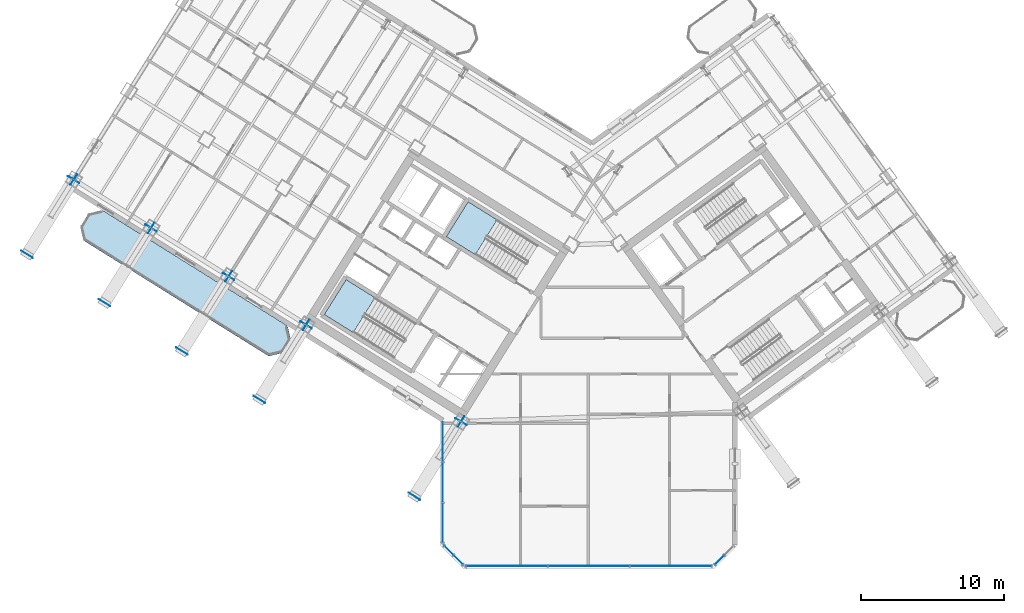
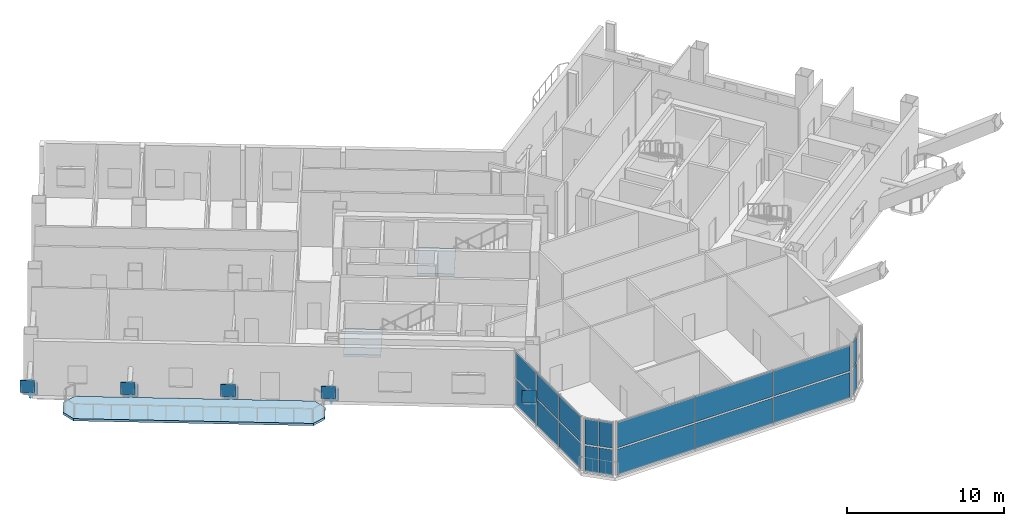
# One storey, part 12 of 32: 33 plates, 3 slabs, 6 elements without a shape of their own.
"""IFC4 building model written with IfcOpenShell, lengths in metres."""

from ifc_helpers import new_model, si_unit, direction, frame, origin, origin_2d, place, context, subcontext, project, spatial, polyline, rectangle, outline, extrude, source, transform, mapped, material, layer, layer_set, type_object, element, aggregate, save


model = new_model("IFC4")

# Units and contexts
model_context = context("Model", 3, precision=1e-05, world=origin(), true_north=direction((0.0, 1.0)))
body_context = subcontext(model_context, "Body", "Model", "MODEL_VIEW")
ifc_project = project(units=[si_unit("LENGTHUNIT", "METRE"), si_unit("AREAUNIT", "SQUARE_METRE"), si_unit("VOLUMEUNIT", "CUBIC_METRE"), si_unit("PLANEANGLEUNIT", "RADIAN"), si_unit("MASSUNIT", "GRAM", prefix="KILO")], contexts=[model_context])

# Site, building, storey
site_placement = place(None, origin())
site = spatial("IfcSite", under=ifc_project, at=site_placement, CompositionType="ELEMENT")
building_placement = place(site_placement, origin())
building = spatial("IfcBuilding", under=site, at=building_placement, Name="Tlacorven Tower", CompositionType="ELEMENT")
storey_placement = place(building_placement, frame((0.0, 0.0, 123.300048828125)))
storey = spatial("IfcBuildingStorey", under=building, at=storey_placement, Name="L31", CompositionType="ELEMENT", Elevation=123.300048828125)

# Slab
ifc_material_1 = material(Name="Precast concrete C45/55", Category="concrete")
ifc_layer_1 = layer(ifc_material_1, 0.179931640625)
ifc_layer_set_1 = layer_set([ifc_layer_1], Name="Precast concrete C45/55")
slab_type_1 = type_object("IfcSlabType", Name="SL-BAL-180", PredefinedType="USERDEFINED", material=ifc_layer_set_1)
slab_1_placement = place(storey_placement, frame((0.0, 0.0, -0.179931640625)))
element("IfcSlab", 1, at=slab_1_placement, inside=storey, type_object=slab_type_1, Name="L31 West Wing Balcony Ribbon OUT", ObjectType="BALCONY SLAB", PredefinedType="USERDEFINED", context=body_context, shape_type="SweptSolid", body=[
    extrude(outline(polyline([(20.88671875, 18.78271484375), (7.91162109375, 26.890625), (6.947021484375, 26.66796875), (6.366943359375, 25.7392578125), (6.589599609375, 24.774658203125), (19.564697265625, 16.6669921875), (20.529296875, 16.8896484375), (21.109375, 17.818115234375), (20.88671875, 18.78271484375)])), origin(), (0.0, 0.0, 1.0), 0.179931640625),
])

# Stair, slab
ifc_material_2 = material(Name="Concrete C40/50", Category="concrete")
stair_type = type_object("IfcStairType", Name="ST-CORE-DLG", PredefinedType="HALF_TURN_STAIR", material=ifc_material_2)
stair_1_placement = place(storey_placement, origin())
stair_1 = element("IfcStair", 2, at=stair_1_placement, inside=storey, type_object=stair_type, Name="L31 Protected Exit Stair West 1", PredefinedType="HALF_TURN_STAIR")
ifc_layer_2 = layer(ifc_material_2, 0.199951171875)
ifc_layer_set_2 = layer_set([ifc_layer_2], Name="Concrete C40/50")
slab_type_2 = type_object("IfcSlabType", Name="SL-LND-200", PredefinedType="LANDING", material=ifc_layer_set_2)
slab_2_placement = place(storey_placement, frame((0.0, 0.0, 2.050048828125)))
slab_2 = element("IfcSlab", 3, at=slab_2_placement, type_object=slab_type_2, Name="ST-W1 landing 1", PredefinedType="LANDING", context=body_context, shape_type="SweptSolid", body=[
    extrude(outline(polyline([(27.01611328125, 20.76025390625), (24.9892578125, 22.02685546875), (23.463134765625, 19.58447265625), (25.489990234375, 18.31787109375), (27.01611328125, 20.76025390625)])), origin(), (0.0, 0.0, 1.0), 0.199951171875),
])
aggregate(stair_1, [slab_2])

stair_2_placement = place(storey_placement, origin())
stair_2 = element("IfcStair", 4, at=stair_2_placement, inside=storey, type_object=stair_type, Name="L31 Protected Exit Stair West 2", PredefinedType="HALF_TURN_STAIR")
slab_3_placement = place(storey_placement, frame((0.0, 0.0, 2.050048828125)))
slab_3 = element("IfcSlab", 5, at=slab_3_placement, type_object=slab_type_2, Name="ST-W2 landing 1", PredefinedType="LANDING", context=body_context, shape_type="SweptSolid", body=[
    extrude(outline(polyline([(35.567626953125, 26.218017578125), (33.540771484375, 27.484375), (32.0146484375, 25.0419921875), (34.04150390625, 23.775634765625), (35.567626953125, 26.218017578125)])), origin(), (0.0, 0.0, 1.0), 0.199951171875),
])
aggregate(stair_2, [slab_3])

# Plates
ifc_material_3 = material(Name="Steel S460M", Category="steel")
ifc_layer_3 = layer(ifc_material_3, 0.02392578125)
ifc_layer_set_3 = layer_set([ifc_layer_3], Name="Steel S460M")
plate_type_1 = type_object("IfcPlateType", Name="PL-CAP-END1", PredefinedType="USERDEFINED", material=ifc_layer_set_3)
shared_shape_1 = source(origin(), body_context, "Body", "SweptSolid", [
    extrude(rectangle(XDim=0.02392578125, YDim=0.929931640625, at=origin_2d()), origin(), (0.0, 0.0, 1.0), 0.929931640625),
])
for number, where, z_axis, x_axis, name in (
    (6, (33.03759765625, 12.0732421875, -0.453125), (0.0, 0.0, 1.0), (-0.529919406799, -0.848048007072, 0.0), "L31 hollow end cap plate RAK-L31-W1 1"),
    (7, (29.769287109375, 6.8427734375, 4.0234375), (0.0, 0.0, 1.0), (-0.529919406799, -0.848048007072, 0.0), "L31 hollow end cap plate RAK-L31-W1 2"),
    (8, (22.1826171875, 18.856201171875, -0.453125), (0.0, 0.0, 1.0), (-0.529919363061, -0.848048034402, 0.0), "L31 hollow end cap plate RAK-L31-W3 1"),
    (9, (18.914306640625, 13.625732421875, 4.0234375), (0.0, 0.0, 1.0), (-0.529919363061, -0.848048034402, 0.0), "L31 hollow end cap plate RAK-L31-W3 2"),
    (10, (16.755126953125, 22.24755859375, -0.453125), (0.0, 0.0, 1.0), (-0.529919363061, -0.848048034402, 0.0), "L31 hollow end cap plate RAK-L31-W4 1"),
    (11, (13.486572265625, 17.01708984375, 4.0234375), (0.0, 0.0, 1.0), (-0.529919363061, -0.848048034402, 0.0), "L31 hollow end cap plate RAK-L31-W4 2"),
    (12, (11.32763671875, 25.63916015625, -0.453125), (0.0, 0.0, 1.0), (-0.529919363061, -0.848048034402, 0.0), "L31 hollow end cap plate RAK-L31-W5 1"),
    (13, (8.05908203125, 20.40869140625, 4.0234375), (0.0, 0.0, 1.0), (-0.529919363061, -0.848048034402, 0.0), "L31 hollow end cap plate RAK-L31-W5 2"),
    (14, (5.89990234375, 29.030517578125, -0.453125), (0.0, 0.0, 1.0), (-0.529919479665, -0.84804796154, 0.0), "L31 hollow end cap plate RAK-L31-W6 1"),
    (15, (2.631591796875, 23.800048828125, 4.0234375), (0.0, 0.0, 1.0), (-0.529919479665, -0.84804796154, 0.0), "L31 hollow end cap plate RAK-L31-W6 2"),
):
    element("IfcPlate", number, at=place(storey_placement, frame(where, z_axis=z_axis, x_axis=x_axis)), inside=storey, type_object=plate_type_1, Name=name, ObjectType="END PLATE", PredefinedType="USERDEFINED", context=body_context, shape_type="MappedRepresentation", body=[
        mapped(shared_shape_1, transform((0.0, 0.0, 0.0), scale=1.0)),
    ])
ifc_layer_4 = layer(ifc_material_3, 0.031982421875)
ifc_layer_set_4 = layer_set([ifc_layer_4], Name="Steel S460M")
plate_type_2 = type_object("IfcPlateType", Name="PL-NODE-KN1", PredefinedType="SHEET", material=ifc_layer_set_4)
shared_shape_2 = source(origin(), body_context, "Body", "SweptSolid", [
    extrude(rectangle(XDim=0.85009765625, YDim=0.031982421875, at=origin_2d()), origin(), (0.0, 0.0, 1.0), 0.85009765625),
])
for number, where, z_axis, x_axis, name in (
    (16, (33.041748046875, 12.080078125, -0.419189453125), (0.0, 0.0, 1.0), (-0.529919406799, -0.848048007072, 0.0), "L31 structural node gusset plate RAK-L31-W1"),
    (17, (22.186767578125, 18.863037109375, -0.419189453125), (0.0, 0.0, 1.0), (-0.529919363061, -0.848048034402, 0.0), "L31 structural node gusset plate RAK-L31-W3"),
    (18, (16.75927734375, 22.25439453125, -0.419189453125), (0.0, 0.0, 1.0), (-0.529919363061, -0.848048034402, 0.0), "L31 structural node gusset plate RAK-L31-W4"),
    (19, (11.331787109375, 25.64599609375, -0.419189453125), (0.0, 0.0, 1.0), (-0.529919363061, -0.848048034402, 0.0), "L31 structural node gusset plate RAK-L31-W5"),
    (20, (5.904296875, 29.037353515625, -0.419189453125), (0.0, 0.0, 1.0), (-0.529919479665, -0.84804796154, 0.0), "L31 structural node gusset plate RAK-L31-W6"),
):
    element("IfcPlate", number, at=place(storey_placement, frame(where, z_axis=z_axis, x_axis=x_axis)), inside=storey, type_object=plate_type_2, Name=name, PredefinedType="SHEET", context=body_context, shape_type="MappedRepresentation", body=[
        mapped(shared_shape_2, transform((0.0, 0.0, 0.0), scale=1.0)),
    ])

# Curtain wall, plates
ifc_material_4 = material(Name="Dark solar low-E double glazing in aluminium frame", Category="aluminium")
curtain_wall_type = type_object("IfcCurtainWallType", Name="CW-TWR-MID", PredefinedType="USERDEFINED", material=ifc_material_4)
curtain_wall_1_placement = place(storey_placement, origin())
curtain_wall_1 = element("IfcCurtainWall", 21, at=curtain_wall_1_placement, inside=storey, type_object=curtain_wall_type, Name="L31 CW-TWR-MID Curtain Wall 151", ObjectType="UNITISED CURTAIN WALL", PredefinedType="USERDEFINED")
ifc_material_5 = material(Name="High-wind dark solar tempered low-E glazing", Category="glass")
ifc_layer_5 = layer(ifc_material_5, 0.028076171875)
ifc_layer_set_5 = layer_set([ifc_layer_5], Name="High-wind dark solar tempered low-E glazing")
plate_type_3 = type_object("IfcPlateType", Name="CWP-03", PredefinedType="CURTAIN_PANEL", material=ifc_layer_set_5)
shared_shape_3 = source(origin(), body_context, "Body", "SweptSolid", [
    extrude(rectangle(XDim=0.885498046875, YDim=0.028076171875, at=origin_2d()), origin(), (0.0, 0.0, 1.0), 1.988037109375),
])
plate_1_placement = place(storey_placement, frame((51.1572265625, 2.38330078125, 0.06103515625), z_axis=(0.0, 0.0, 1.0), x_axis=(-0.707106781187, -0.707106781187, 0.0)))
plate_1 = element("IfcPlate", 22, at=plate_1_placement, type_object=plate_type_3, Name="CW-L31-151 Glazing Panel 3", PredefinedType="CURTAIN_PANEL", context=body_context, shape_type="MappedRepresentation", body=[
    mapped(shared_shape_3, transform((0.0, 0.0, 0.0), scale=1.0)),
])
plate_2_placement = place(storey_placement, frame((51.1572265625, 2.38330078125, 2.1708984375), z_axis=(0.0, 0.0, 1.0), x_axis=(-0.707106781187, -0.707106781187, 0.0)))
plate_2 = element("IfcPlate", 23, at=plate_2_placement, type_object=plate_type_3, Name="CW-L31-151 Glazing Panel 4", PredefinedType="CURTAIN_PANEL", context=body_context, shape_type="MappedRepresentation", body=[
    mapped(shared_shape_3, transform((0.0, 0.0, 0.0), scale=1.0)),
])
aggregate(curtain_wall_1, [plate_1, plate_2])

curtain_wall_2_placement = place(storey_placement, origin())
curtain_wall_2 = element("IfcCurtainWall", 24, at=curtain_wall_2_placement, inside=storey, type_object=curtain_wall_type, Name="L31 CW-TWR-MID Curtain Wall 153", ObjectType="UNITISED CURTAIN WALL", PredefinedType="USERDEFINED")
plate_3_placement = place(storey_placement, frame((32.8427734375, 2.38330078125, 0.06103515625), z_axis=(0.0, 0.0, 1.0), x_axis=(-0.707106781187, 0.707106781187, 0.0)))
plate_3 = element("IfcPlate", 25, at=plate_3_placement, type_object=plate_type_3, Name="CW-L31-153 Glazing Panel 1", PredefinedType="CURTAIN_PANEL", context=body_context, shape_type="MappedRepresentation", body=[
    mapped(shared_shape_3, transform((0.0, 0.0, 0.0), scale=1.0)),
])
plate_4_placement = place(storey_placement, frame((32.8427734375, 2.38330078125, 2.1708984375), z_axis=(0.0, 0.0, 1.0), x_axis=(-0.707106781187, 0.707106781187, 0.0)))
plate_4 = element("IfcPlate", 26, at=plate_4_placement, type_object=plate_type_3, Name="CW-L31-153 Glazing Panel 2", PredefinedType="CURTAIN_PANEL", context=body_context, shape_type="MappedRepresentation", body=[
    mapped(shared_shape_3, transform((0.0, 0.0, 0.0), scale=1.0)),
])
plate_5_placement = place(storey_placement, frame((32.183349609375, 3.04296875, 0.06103515625), z_axis=(0.0, 0.0, 1.0), x_axis=(-0.707106781187, 0.707106781187, 0.0)))
plate_5 = element("IfcPlate", 27, at=plate_5_placement, type_object=plate_type_3, Name="CW-L31-153 Glazing Panel 3", PredefinedType="CURTAIN_PANEL", context=body_context, shape_type="MappedRepresentation", body=[
    mapped(shared_shape_3, transform((0.0, 0.0, 0.0), scale=1.0)),
])
plate_6_placement = place(storey_placement, frame((32.183349609375, 3.04296875, 2.1708984375), z_axis=(0.0, 0.0, 1.0), x_axis=(-0.707106781187, 0.707106781187, 0.0)))
plate_6 = element("IfcPlate", 28, at=plate_6_placement, type_object=plate_type_3, Name="CW-L31-153 Glazing Panel 4", PredefinedType="CURTAIN_PANEL", context=body_context, shape_type="MappedRepresentation", body=[
    mapped(shared_shape_3, transform((0.0, 0.0, 0.0), scale=1.0)),
])
aggregate(curtain_wall_2, [plate_3, plate_4, plate_5, plate_6])

curtain_wall_3_placement = place(storey_placement, origin())
curtain_wall_3 = element("IfcCurtainWall", 29, at=curtain_wall_3_placement, inside=storey, type_object=curtain_wall_type, Name="L31 CW-TWR-MID Curtain Wall 152", ObjectType="UNITISED CURTAIN WALL", PredefinedType="USERDEFINED")
shared_shape_4 = source(origin(), body_context, "Body", "SweptSolid", [
    extrude(rectangle(XDim=5.67626953125, YDim=0.028076171875, at=origin_2d()), origin(), (0.0, 0.0, 1.0), 1.988037109375),
])
plate_7_placement = place(storey_placement, frame((47.739501953125, 1.9599609375, 0.06103515625), z_axis=(0.0, 0.0, 1.0), x_axis=(-1.0, 0.0, 0.0)))
plate_7 = element("IfcPlate", 30, at=plate_7_placement, type_object=plate_type_3, Name="CW-L31-152 Glazing Panel 1", PredefinedType="CURTAIN_PANEL", context=body_context, shape_type="MappedRepresentation", body=[
    mapped(shared_shape_4, transform((0.0, 0.0, 0.0), scale=1.0)),
])
plate_8_placement = place(storey_placement, frame((47.739501953125, 1.9599609375, 2.1708984375), z_axis=(0.0, 0.0, 1.0), x_axis=(-1.0, 0.0, 0.0)))
plate_8 = element("IfcPlate", 31, at=plate_8_placement, type_object=plate_type_3, Name="CW-L31-152 Glazing Panel 2", PredefinedType="CURTAIN_PANEL", context=body_context, shape_type="MappedRepresentation", body=[
    mapped(shared_shape_4, transform((0.0, 0.0, 0.0), scale=1.0)),
])
plate_9_placement = place(storey_placement, frame((36.260498046875, 1.9599609375, 0.06103515625), z_axis=(0.0, 0.0, 1.0), x_axis=(-1.0, 0.0, 0.0)))
plate_9 = element("IfcPlate", 32, at=plate_9_placement, type_object=plate_type_3, Name="CW-L31-152 Glazing Panel 5", PredefinedType="CURTAIN_PANEL", context=body_context, shape_type="MappedRepresentation", body=[
    mapped(shared_shape_4, transform((0.0, 0.0, 0.0), scale=1.0)),
])
plate_10_placement = place(storey_placement, frame((36.260498046875, 1.9599609375, 2.1708984375), z_axis=(0.0, 0.0, 1.0), x_axis=(-1.0, 0.0, 0.0)))
plate_10 = element("IfcPlate", 33, at=plate_10_placement, type_object=plate_type_3, Name="CW-L31-152 Glazing Panel 6", PredefinedType="CURTAIN_PANEL", context=body_context, shape_type="MappedRepresentation", body=[
    mapped(shared_shape_4, transform((0.0, 0.0, 0.0), scale=1.0)),
])
shared_shape_5 = source(origin(), body_context, "Body", "SweptSolid", [
    extrude(rectangle(XDim=5.708740234375, YDim=0.028076171875, at=origin_2d()), origin(), (0.0, 0.0, 1.0), 1.988037109375),
])
plate_11_placement = place(storey_placement, frame((42.0, 1.9599609375, 0.06103515625), z_axis=(0.0, 0.0, 1.0), x_axis=(-1.0, 0.0, 0.0)))
plate_11 = element("IfcPlate", 34, at=plate_11_placement, type_object=plate_type_3, Name="CW-L31-152 Glazing Panel 3", PredefinedType="CURTAIN_PANEL", context=body_context, shape_type="MappedRepresentation", body=[
    mapped(shared_shape_5, transform((0.0, 0.0, 0.0), scale=1.0)),
])
plate_12_placement = place(storey_placement, frame((42.0, 1.9599609375, 2.1708984375), z_axis=(0.0, 0.0, 1.0), x_axis=(-1.0, 0.0, 0.0)))
plate_12 = element("IfcPlate", 35, at=plate_12_placement, type_object=plate_type_3, Name="CW-L31-152 Glazing Panel 4", PredefinedType="CURTAIN_PANEL", context=body_context, shape_type="MappedRepresentation", body=[
    mapped(shared_shape_5, transform((0.0, 0.0, 0.0), scale=1.0)),
])
aggregate(curtain_wall_3, [plate_7, plate_8, plate_11, plate_12, plate_9, plate_10])

curtain_wall_4_placement = place(storey_placement, origin())
curtain_wall_4 = element("IfcCurtainWall", 36, at=curtain_wall_4_placement, inside=storey, type_object=curtain_wall_type, Name="L31 CW-TWR-MID Curtain Wall 154", ObjectType="UNITISED CURTAIN WALL", PredefinedType="USERDEFINED")
shared_shape_6 = source(origin(), body_context, "Body", "SweptSolid", [
    extrude(rectangle(XDim=2.759521484375, YDim=0.028076171875, at=origin_2d()), origin(), (0.0, 0.0, 1.0), 1.988037109375),
])
plate_13_placement = place(storey_placement, frame((31.760009765625, 5.001953125, 0.06103515625), z_axis=(0.0, 0.0, 1.0), x_axis=(0.0, 1.0, 0.0)))
plate_13 = element("IfcPlate", 37, at=plate_13_placement, type_object=plate_type_3, Name="CW-L31-154 Glazing Panel 1", PredefinedType="CURTAIN_PANEL", context=body_context, shape_type="MappedRepresentation", body=[
    mapped(shared_shape_6, transform((0.0, 0.0, 0.0), scale=1.0)),
])
plate_14_placement = place(storey_placement, frame((31.760009765625, 5.001953125, 2.1708984375), z_axis=(0.0, 0.0, 1.0), x_axis=(0.0, 1.0, 0.0)))
plate_14 = element("IfcPlate", 38, at=plate_14_placement, type_object=plate_type_3, Name="CW-L31-154 Glazing Panel 2", PredefinedType="CURTAIN_PANEL", context=body_context, shape_type="MappedRepresentation", body=[
    mapped(shared_shape_6, transform((0.0, 0.0, 0.0), scale=1.0)),
])
plate_15_placement = place(storey_placement, frame((31.760009765625, 10.6474609375, 0.06103515625), z_axis=(0.0, 0.0, 1.0), x_axis=(0.0, 1.0, 0.0)))
plate_15 = element("IfcPlate", 39, at=plate_15_placement, type_object=plate_type_3, Name="CW-L31-154 Glazing Panel 5", PredefinedType="CURTAIN_PANEL", context=body_context, shape_type="MappedRepresentation", body=[
    mapped(shared_shape_6, transform((0.0, 0.0, 0.0), scale=1.0)),
])
plate_16_placement = place(storey_placement, frame((31.760009765625, 10.6474609375, 2.1708984375), z_axis=(0.0, 0.0, 1.0), x_axis=(0.0, 1.0, 0.0)))
plate_16 = element("IfcPlate", 40, at=plate_16_placement, type_object=plate_type_3, Name="CW-L31-154 Glazing Panel 6", PredefinedType="CURTAIN_PANEL", context=body_context, shape_type="MappedRepresentation", body=[
    mapped(shared_shape_6, transform((0.0, 0.0, 0.0), scale=1.0)),
])
shared_shape_7 = source(origin(), body_context, "Body", "SweptSolid", [
    extrude(rectangle(XDim=2.7919921875, YDim=0.028076171875, at=origin_2d()), origin(), (0.0, 0.0, 1.0), 1.988037109375),
])
plate_17_placement = place(storey_placement, frame((31.760009765625, 7.82470703125, 0.06103515625), z_axis=(0.0, 0.0, 1.0), x_axis=(0.0, 1.0, 0.0)))
plate_17 = element("IfcPlate", 41, at=plate_17_placement, type_object=plate_type_3, Name="CW-L31-154 Glazing Panel 3", PredefinedType="CURTAIN_PANEL", context=body_context, shape_type="MappedRepresentation", body=[
    mapped(shared_shape_7, transform((0.0, 0.0, 0.0), scale=1.0)),
])
plate_18_placement = place(storey_placement, frame((31.760009765625, 7.82470703125, 2.1708984375), z_axis=(0.0, 0.0, 1.0), x_axis=(0.0, 1.0, 0.0)))
plate_18 = element("IfcPlate", 42, at=plate_18_placement, type_object=plate_type_3, Name="CW-L31-154 Glazing Panel 4", PredefinedType="CURTAIN_PANEL", context=body_context, shape_type="MappedRepresentation", body=[
    mapped(shared_shape_7, transform((0.0, 0.0, 0.0), scale=1.0)),
])
aggregate(curtain_wall_4, [plate_13, plate_14, plate_17, plate_18, plate_15, plate_16])

save(model, "model.ifc")
